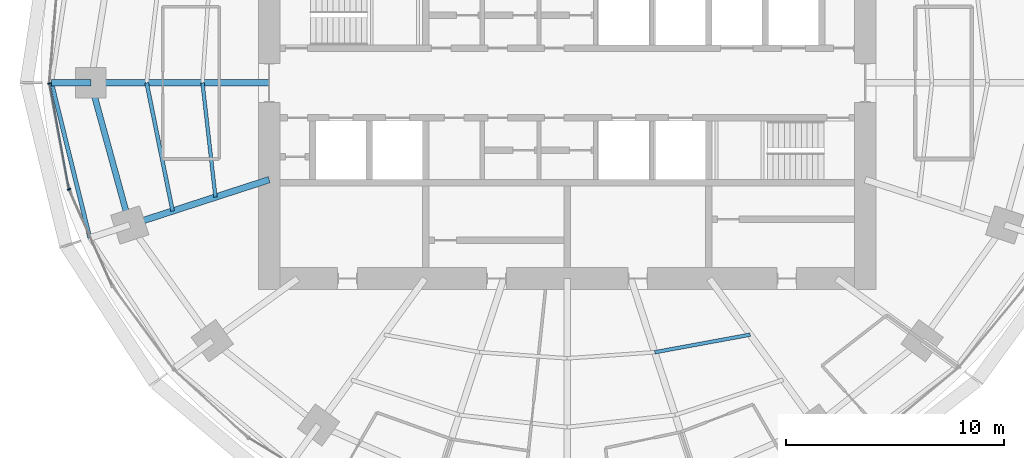
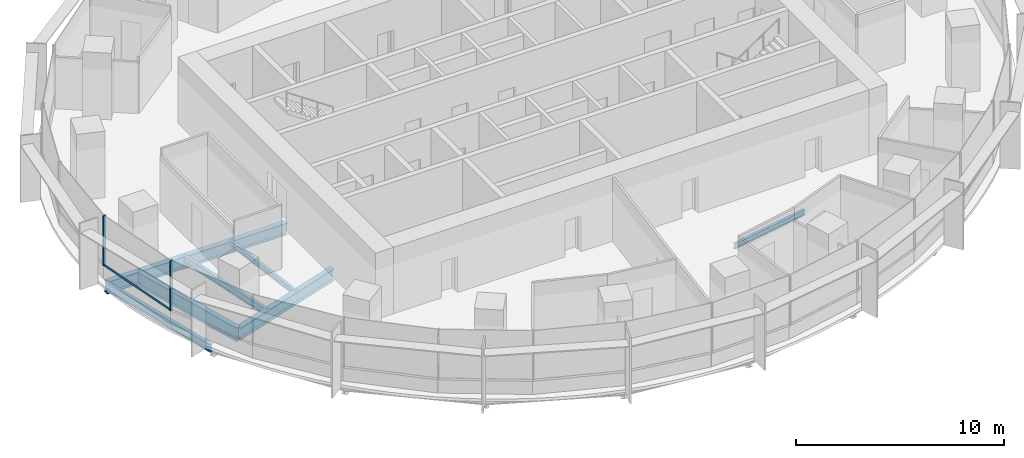
# One storey, part 3 of 15: 8 beams, 3 members, 1 element without a shape of its own.
"""IFC4 building model written with IfcOpenShell, lengths in metres."""

from ifc_helpers import new_model, si_unit, direction, frame, origin, origin_2d, place, context, subcontext, project, spatial, rectangle, i_section, extrude, material, material_profile, profile_set, type_object, element, aggregate, save


model = new_model("IFC4")

# Units and contexts
model_context = context("Model", 3, precision=1e-05, world=origin(), true_north=direction((0.0, 1.0)))
body_context = subcontext(model_context, "Body", "Model", "MODEL_VIEW")
ifc_project = project(units=[si_unit("LENGTHUNIT", "METRE"), si_unit("AREAUNIT", "SQUARE_METRE"), si_unit("VOLUMEUNIT", "CUBIC_METRE"), si_unit("PLANEANGLEUNIT", "RADIAN"), si_unit("MASSUNIT", "GRAM", prefix="KILO")], contexts=[model_context])

# Site, building, storey
site_placement = place(None, origin())
site = spatial("IfcSite", under=ifc_project, at=site_placement, CompositionType="ELEMENT")
building_placement = place(site_placement, origin())
building = spatial("IfcBuilding", under=site, at=building_placement, Name="Marramba Exchange Tower", CompositionType="ELEMENT")
storey_placement = place(building_placement, frame((0.0, 0.0, 187.699951171875)))
storey = spatial("IfcBuildingStorey", under=building, at=storey_placement, Name="L45", CompositionType="ELEMENT", Elevation=187.699951171875)

# Beams
ifc_material_1 = material(Name="Steel AS/NZS 3679.2 grade 300", Category="steel")
ifc_material_profile_1 = material_profile(ifc_material_1, i_section(OverallWidth=0.300048828125, OverallDepth=0.699951171875, WebThickness=0.010009765625, FlangeThickness=0.031982421875, at=origin_2d()), Name="700WB173")
ifc_profile_set_1 = profile_set([ifc_material_profile_1], Name="Steel AS/NZS 3679.2 grade 300")
beam_type_1 = type_object("IfcBeamType", Name="Cantilever girder 700WB173", PredefinedType="BEAM", material=ifc_profile_set_1)
beam_1_placement = place(storey_placement, frame((-21.89990234375, 0.0, -0.510009765625), z_axis=(-1.0, 0.0, 0.0), x_axis=(0.0, -1.0, 0.0)))
element("IfcBeam", 1, at=beam_1_placement, inside=storey, type_object=beam_type_1, Name="Cantilever girder L45 TC11", PredefinedType="BEAM", context=body_context, shape_type="SweptSolid", body=[
    extrude(i_section(OverallWidth=0.300048828125, OverallDepth=0.699951171875, WebThickness=0.010009765625, FlangeThickness=0.031982421875, at=origin_2d()), origin(), (0.0, 0.0, 1.0), 1.80615234375),
])
ifc_material_2 = material(Name="Steel AS/NZS 3679.1 grade 300", Category="steel")
ifc_material_profile_2 = material_profile(ifc_material_2, i_section(OverallWidth=0.166015625, OverallDepth=0.306884765625, WebThickness=0.006591796875, FlangeThickness=0.01171875, FilletRadius=0.011474609375, at=origin_2d()), Name="310UB46.2")
ifc_profile_set_2 = profile_set([ifc_material_profile_2], Name="Steel AS/NZS 3679.1 grade 300")
beam_type_2 = type_object("IfcBeamType", Name="Floor joist 310UB46.2", PredefinedType="JOIST", material=ifc_profile_set_2)
beam_2_placement = place(storey_placement, frame((-16.7666015625, 0.0, -0.3134765625), z_axis=(0.112888968594, -0.993607609054, 0.0), x_axis=(0.993607609054, 0.112888968594, 0.0)))
element("IfcBeam", 2, at=beam_2_placement, inside=storey, type_object=beam_type_2, Name="Joist L45 bay 11 row 1", PredefinedType="JOIST", context=body_context, shape_type="SweptSolid", body=[
    extrude(i_section(OverallWidth=0.166015625, OverallDepth=0.306884765625, WebThickness=0.006591796875, FlangeThickness=0.01171875, FilletRadius=0.011474609375, at=origin_2d()), origin(), (0.0, 0.0, 1.0), 5.28759765625),
])
beam_3_placement = place(storey_placement, frame((4.0244140625, -12.3857421875, -0.3134765625), z_axis=(0.983455754421, 0.181148500119, 0.0), x_axis=(-0.181148500119, 0.983455754421, 0.0)))
element("IfcBeam", 3, at=beam_3_placement, inside=storey, type_object=beam_type_2, Name="Joist L45 bay 17 row 1", PredefinedType="JOIST", context=body_context, shape_type="SweptSolid", body=[
    extrude(i_section(OverallWidth=0.166015625, OverallDepth=0.306884765625, WebThickness=0.006591796875, FlangeThickness=0.01171875, FilletRadius=0.011474609375, at=origin_2d()), origin(), (0.0, 0.0, 1.0), 4.4609375),
])
ifc_material_profile_3 = material_profile(ifc_material_2, i_section(OverallWidth=0.177978515625, OverallDepth=0.406005859375, WebThickness=0.0078125, FlangeThickness=0.0126953125, FilletRadius=0.011474609375, at=origin_2d()), Name="410UB59.7")
ifc_profile_set_3 = profile_set([ifc_material_profile_3], Name="Steel AS/NZS 3679.1 grade 300")
beam_type_3 = type_object("IfcBeamType", Name="Floor joist 410UB59.7", PredefinedType="JOIST", material=ifc_profile_set_3)
beam_4_placement = place(storey_placement, frame((-19.333251953125, 0.0, -0.363037109375), z_axis=(0.198489047047, -0.980103105904, 0.0), x_axis=(0.980103105904, 0.198489047047, 0.0)))
element("IfcBeam", 4, at=beam_4_placement, inside=storey, type_object=beam_type_3, Name="Joist L45 bay 11 row 2", PredefinedType="JOIST", context=body_context, shape_type="SweptSolid", body=[
    extrude(i_section(OverallWidth=0.177978515625, OverallDepth=0.406005859375, WebThickness=0.0078125, FlangeThickness=0.0126953125, FilletRadius=0.011474609375, at=origin_2d()), origin(), (0.0, 0.0, 1.0), 6.013427734375),
])

# Curtain wall, members
ifc_material_3 = material(Name="Aluminium framing, bronze anodised", Category="aluminium")
curtain_wall_type = type_object("IfcCurtainWallType", Name="Office ribbon curtain wall", PredefinedType="USERDEFINED", material=ifc_material_3)
curtain_wall_placement = place(storey_placement, origin())
curtain_wall = element("IfcCurtainWall", 5, at=curtain_wall_placement, inside=storey, type_object=curtain_wall_type, Name="Curtain wall CW4 L45 F16-F20", ObjectType="RIBBON CURTAIN WALL", PredefinedType="USERDEFINED")
ifc_material_4 = material(Name="Aluminium mullion, bronze anodised", Category="aluminium")
ifc_material_profile_4 = material_profile(ifc_material_4, rectangle(XDim=0.159912109375, YDim=0.06005859375, at=origin_2d()), Name="CW4 mullion 60x160")
ifc_profile_set_4 = profile_set([ifc_material_profile_4], Name="Aluminium mullion, bronze anodised")
member_type_1 = type_object("IfcMemberType", Name="Office ribbon curtain wall mullion", PredefinedType="MULLION", material=ifc_profile_set_4)
member_1_placement = place(storey_placement, frame((-23.800537109375, -0.029541015625, 0.800048828125), z_axis=(0.0, 0.0, 1.0), x_axis=(0.983606636184, 0.180327438996, 0.0)))
member_1 = element("IfcMember", 6, at=member_1_placement, type_object=member_type_1, Name="CW4 mullion 1", PredefinedType="MULLION", context=body_context, shape_type="SweptSolid", body=[
    extrude(rectangle(XDim=0.159912109375, YDim=0.06005859375, at=origin_2d()), origin(), (0.0, 0.0, 1.0), 2.93994140625),
])
member_2_placement = place(storey_placement, frame((-22.90087890625, -4.897705078125, 0.800048828125), z_axis=(0.0, 0.0, 1.0), x_axis=(0.913179510401, 0.407557580942, 0.0)))
member_2 = element("IfcMember", 7, at=member_2_placement, type_object=member_type_1, Name="CW4 mullion 1", PredefinedType="MULLION", context=body_context, shape_type="SweptSolid", body=[
    extrude(rectangle(XDim=0.159912109375, YDim=0.06005859375, at=origin_2d()), origin(), (0.0, 0.0, 1.0), 2.93994140625),
])
ifc_material_5 = material(Name="Aluminium transom, bronze anodised", Category="aluminium")
ifc_material_profile_5 = material_profile(ifc_material_5, rectangle(XDim=0.06005859375, YDim=0.1201171875, at=origin_2d()), Name="CW4 transom 60x120")
ifc_profile_set_5 = profile_set([ifc_material_profile_5], Name="Aluminium transom, bronze anodised")
member_type_2 = type_object("IfcMemberType", Name="Office ribbon curtain wall transom", PredefinedType="USERDEFINED", material=ifc_profile_set_5)
member_3_placement = place(storey_placement, frame((-23.795166015625, -0.05908203125, 0.830078125), z_axis=(0.180330283276, -0.98360611473, 0.0), x_axis=(0.98360611473, 0.180330283276, 0.0)))
member_3 = element("IfcMember", 8, at=member_3_placement, type_object=member_type_2, Name="CW4 sill transom", ObjectType="TRANSOM", PredefinedType="USERDEFINED", context=body_context, shape_type="SweptSolid", body=[
    extrude(rectangle(XDim=0.06005859375, YDim=0.1201171875, at=origin_2d()), origin(), (0.0, 0.0, 1.0), 4.891357421875),
])
aggregate(curtain_wall, [member_1, member_3, member_2])

# Beams
ifc_material_profile_6 = material_profile(ifc_material_1, i_section(OverallWidth=0.300048828125, OverallDepth=0.699951171875, WebThickness=0.010009765625, FlangeThickness=0.031982421875, at=origin_2d()), Name="700WB173")
ifc_profile_set_6 = profile_set([ifc_material_profile_6], Name="Steel AS/NZS 3679.2 grade 300")
beam_type_4 = type_object("IfcBeamType", Name="Radial girder 700WB173", PredefinedType="BEAM", material=ifc_profile_set_6)
beam_5_placement = place(storey_placement, frame((-13.699951171875, 0.0, -0.510009765625), z_axis=(-1.0, 0.0, 0.0), x_axis=(0.0, -1.0, 0.0)))
element("IfcBeam", 9, at=beam_5_placement, inside=storey, type_object=beam_type_4, Name="Radial girder L45 TC11", PredefinedType="BEAM", context=body_context, shape_type="SweptSolid", body=[
    extrude(i_section(OverallWidth=0.300048828125, OverallDepth=0.699951171875, WebThickness=0.010009765625, FlangeThickness=0.031982421875, at=origin_2d()), origin(), (0.0, 0.0, 1.0), 8.199951171875),
])
beam_6_placement = place(storey_placement, frame((-13.699951171875, -4.451416015625, -0.510009765625), z_axis=(-0.951057759669, -0.309013167637, 0.0), x_axis=(0.309013167637, -0.951057759669, 0.0)))
element("IfcBeam", 10, at=beam_6_placement, inside=storey, type_object=beam_type_4, Name="Radial girder L45 TC12", PredefinedType="BEAM", context=body_context, shape_type="SweptSolid", body=[
    extrude(i_section(OverallWidth=0.300048828125, OverallDepth=0.699951171875, WebThickness=0.010009765625, FlangeThickness=0.031982421875, at=origin_2d()), origin(), (0.0, 0.0, 1.0), 6.7392578125),
])
ifc_material_profile_7 = material_profile(ifc_material_1, i_section(OverallWidth=0.27490234375, OverallDepth=0.800048828125, WebThickness=0.010009765625, FlangeThickness=0.02490234375, at=origin_2d()), Name="800WB168")
ifc_profile_set_7 = profile_set([ifc_material_profile_7], Name="Steel AS/NZS 3679.2 grade 300")
beam_type_5 = type_object("IfcBeamType", Name="Ring beam 800WB168", PredefinedType="SPANDREL", material=ifc_profile_set_7)
beam_7_placement = place(storey_placement, frame((-21.89990234375, 0.0, -0.56005859375), z_axis=(0.264291166956, -0.964442937176, 0.0), x_axis=(0.964442937176, 0.264291166956, 0.0)))
element("IfcBeam", 11, at=beam_7_placement, inside=storey, type_object=beam_type_5, Name="Ring beam L45 TC11-TC12", PredefinedType="SPANDREL", context=body_context, shape_type="SweptSolid", body=[
    extrude(i_section(OverallWidth=0.27490234375, OverallDepth=0.800048828125, WebThickness=0.010009765625, FlangeThickness=0.02490234375, at=origin_2d()), origin(), (0.0, 0.0, 1.0), 6.77490234375),
])
ifc_material_profile_8 = material_profile(ifc_material_2, i_section(OverallWidth=0.19091796875, OverallDepth=0.4599609375, WebThickness=0.010009765625, FlangeThickness=0.01611328125, FilletRadius=0.011474609375, at=origin_2d()), Name="460UB82.1")
ifc_profile_set_8 = profile_set([ifc_material_profile_8], Name="Steel AS/NZS 3679.1 grade 300")
beam_type_6 = type_object("IfcBeamType", Name="Slab edge beam 460UB82.1", PredefinedType="SPANDREL", material=ifc_profile_set_8)
beam_8_placement = place(storey_placement, frame((-23.7060546875, 0.0, -0.389892578125), z_axis=(0.23973454413, -0.970838476963, 0.0), x_axis=(0.970838476963, 0.23973454413, 0.0)))
element("IfcBeam", 12, at=beam_8_placement, inside=storey, type_object=beam_type_6, Name="Slab edge beam L45 TC11-TC12", PredefinedType="SPANDREL", context=body_context, shape_type="SweptSolid", body=[
    extrude(i_section(OverallWidth=0.19091796875, OverallDepth=0.4599609375, WebThickness=0.010009765625, FlangeThickness=0.01611328125, FilletRadius=0.011474609375, at=origin_2d()), origin(), (0.0, 0.0, 1.0), 7.344482421875),
])

save(model, "model.ifc")
